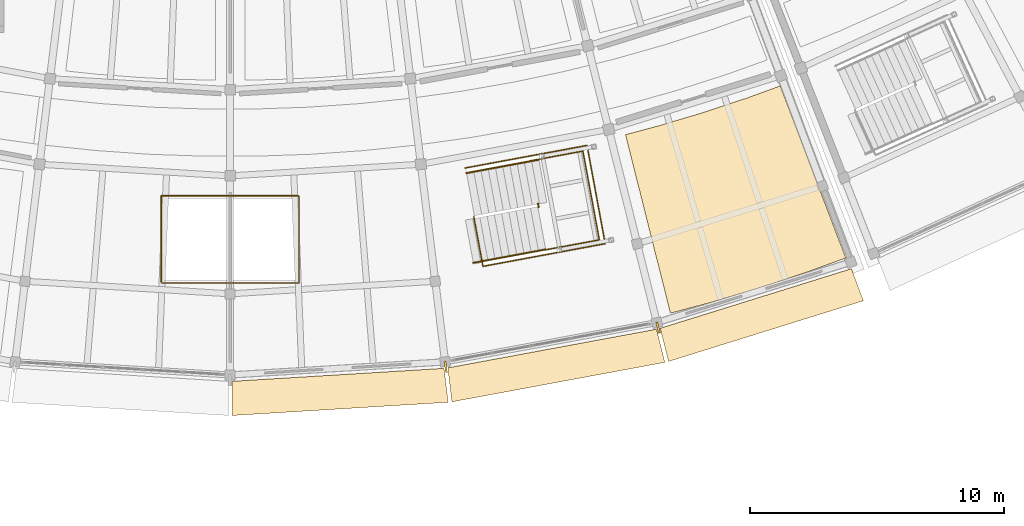
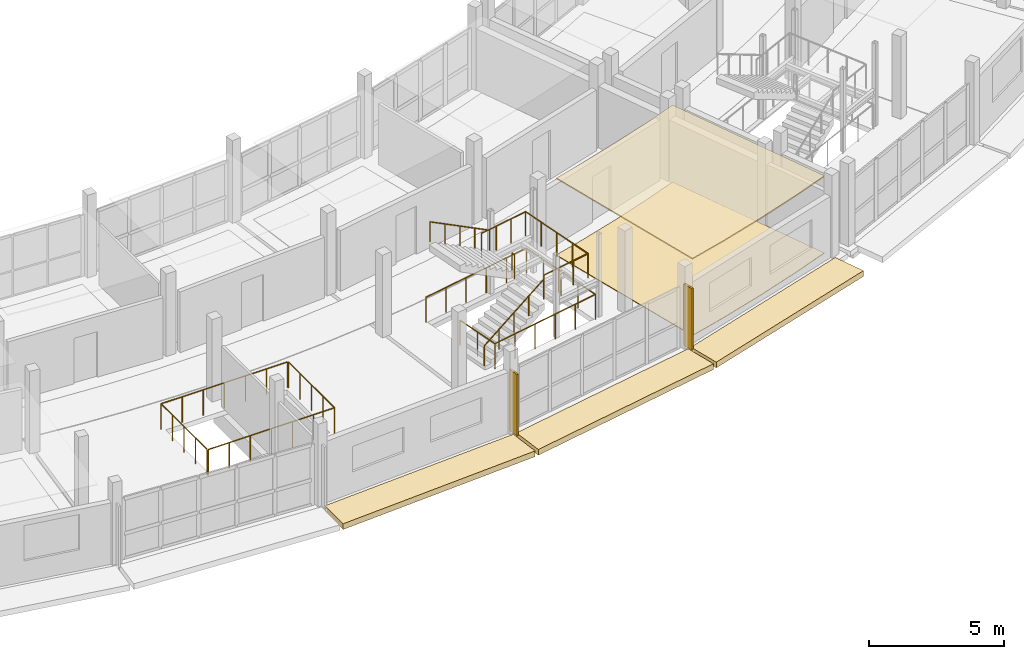
# One storey, part 63 of 66: 7 railings, 5 coverings, 2 shading devices.
"""IFC4 building model written with IfcOpenShell, lengths in metres."""

from ifc_helpers import new_model, si_unit, direction, frame, origin, origin_2d, place, context, subcontext, project, spatial, polyline, rectangle, circle, outline, extrude, material, layer, layer_set, type_object, element, save


model = new_model("IFC4")

# Units and contexts
model_context = context("Model", 3, precision=1e-05, world=origin(), true_north=direction((0.0, 1.0)))
body_context = subcontext(model_context, "Body", "Model", "MODEL_VIEW")
ifc_project = project(units=[si_unit("LENGTHUNIT", "METRE"), si_unit("AREAUNIT", "SQUARE_METRE"), si_unit("VOLUMEUNIT", "CUBIC_METRE"), si_unit("PLANEANGLEUNIT", "RADIAN"), si_unit("MASSUNIT", "GRAM", prefix="KILO")], contexts=[model_context])

# Site, building, storey
site_placement = place(None, origin())
site = spatial("IfcSite", under=ifc_project, at=site_placement, CompositionType="ELEMENT")
building_placement = place(site_placement, origin())
building = spatial("IfcBuilding", under=site, at=building_placement, Name="Caldaven Crescent School", CompositionType="ELEMENT")
storey_placement = place(building_placement, frame((0.0, 0.0, 8.159912109375)))
storey = spatial("IfcBuildingStorey", under=building, at=storey_placement, Name="L02", CompositionType="ELEMENT", Elevation=8.159912109375)

# Coverings
ifc_material_1 = material(Name="White architectural GFRC precast concrete C35/45 cladding", Category="concrete")
ifc_layer_1 = layer(ifc_material_1, 0.260009765625)
ifc_layer_set_1 = layer_set([ifc_layer_1], Name="White architectural GFRC precast concrete C35/45 cladding")
covering_type_1 = type_object("IfcCoveringType", Name="COV-CLD1", PredefinedType="CLADDING", material=ifc_layer_set_1)
covering_1_placement = place(storey_placement, frame((0.0, 0.0, -0.260009765625)))
element("IfcCovering", 1, at=covering_1_placement, inside=storey, type_object=covering_type_1, Name="CLD-OUT-L02-048", PredefinedType="CLADDING", context=body_context, shape_type="SweptSolid", body=[
    extrude(outline(polyline([(88.072998046875, 26.199951171875), (96.433837890625, 26.71142578125), (96.59716796875, 25.371337890625), (88.074462890625, 24.85009765625), (88.072998046875, 26.199951171875)])), origin(), (0.0, 0.0, 1.0), 0.260009765625),
])
covering_2_placement = place(storey_placement, frame((0.0, 0.0, -0.260009765625)))
element("IfcCovering", 2, at=covering_2_placement, inside=storey, type_object=covering_type_1, Name="CLD-OUT-L02-050", PredefinedType="CLADDING", context=body_context, shape_type="SweptSolid", body=[
    extrude(outline(polyline([(96.5791015625, 26.729248046875), (104.815185546875, 28.255615234375), (105.140380859375, 26.945556640625), (96.744873046875, 25.389404296875), (96.5791015625, 26.729248046875)])), origin(), (0.0, 0.0, 1.0), 0.260009765625),
])
covering_3_placement = place(storey_placement, frame((0.0, 0.0, -0.260009765625)))
element("IfcCovering", 3, at=covering_3_placement, inside=storey, type_object=covering_type_1, Name="CLD-OUT-L02-052", PredefinedType="CLADDING", context=body_context, shape_type="SweptSolid", body=[
    extrude(outline(polyline([(104.95703125, 28.291015625), (112.496337890625, 30.6396484375), (112.97021484375, 29.37548828125), (105.284912109375, 26.9814453125), (104.95703125, 28.291015625)])), origin(), (0.0, 0.0, 1.0), 0.260009765625),
])
ifc_material_2 = material(Name="Perforated Pino Radiata acoustic timber baffle ceiling", Category="wood")
ifc_layer_2 = layer(ifc_material_2, 0.053955078125)
ifc_layer_set_2 = layer_set([ifc_layer_2], Name="Perforated Pino Radiata acoustic timber baffle ceiling")
covering_type_2 = type_object("IfcCoveringType", Name="COV-CLG4", PredefinedType="CEILING", material=ifc_layer_set_2)
covering_4_placement = place(storey_placement, frame((0.0, 0.0, 3.466064453125)))
element("IfcCovering", 4, at=covering_4_placement, inside=storey, type_object=covering_type_2, Name="CLG-L02-155", PredefinedType="CEILING", context=body_context, shape_type="SweptSolid", body=[
    extrude(outline(polyline([(104.910400390625, 36.278076171875), (104.923095703125, 36.281494140625), (106.658447265625, 36.80078125), (106.671142578125, 36.804931640625), (108.390380859375, 37.375), (108.40283203125, 37.379150390625), (109.68798828125, 37.84765625), (112.274169921875, 31.06396484375), (110.7822265625, 30.520263671875), (108.847900390625, 29.87890625), (106.8955078125, 29.294677734375), (105.361572265625, 28.884521484375), (103.589111328125, 35.924560546875), (104.910400390625, 36.278076171875)])), origin(), (0.0, 0.0, 1.0), 0.053955078125),
])
ifc_material_3 = material(Name="Polished terrazzo and acoustic linoleum flooring")
ifc_layer_3 = layer(ifc_material_3, 0.031982421875)
ifc_layer_set_3 = layer_set([ifc_layer_3], Name="Polished terrazzo and acoustic linoleum flooring")
covering_type_3 = type_object("IfcCoveringType", Name="COV-FLR3", PredefinedType="FLOORING", material=ifc_layer_set_3)
covering_5_placement = place(storey_placement, origin())
element("IfcCovering", 5, at=covering_5_placement, inside=storey, type_object=covering_type_3, Name="FLR-L02-155", PredefinedType="FLOORING", context=body_context, shape_type="SweptSolid", body=[
    extrude(outline(polyline([(103.589111328125, 35.924560546875), (104.910400390625, 36.278076171875), (104.923095703125, 36.281494140625), (106.658447265625, 36.80078125), (106.671142578125, 36.804931640625), (108.390380859375, 37.375), (108.40283203125, 37.379150390625), (109.68798828125, 37.84765625), (112.274169921875, 31.06396484375), (110.7822265625, 30.520263671875), (108.847900390625, 29.87890625), (106.8955078125, 29.294677734375), (105.361572265625, 28.884521484375), (103.589111328125, 35.924560546875)])), origin(), (0.0, 0.0, 1.0), 0.031982421875),
])

# Railings
ifc_material_4 = material(Name="Brushed stainless-steel continuous tubular handrail", Category="steel")
railing_type_1 = type_object("IfcRailingType", Name="RAL-HR3", PredefinedType="HANDRAIL", material=ifc_material_4)
railing_1_placement = place(storey_placement, frame((97.589111328125, 30.871826171875, 0.173095703125)))
element("IfcRailing", 6, at=railing_1_placement, inside=storey, type_object=railing_type_1, Name="HR-ST3-L02-F1", PredefinedType="HANDRAIL", context=body_context, shape_type="SweptSolid", body=[
    extrude(circle(Radius=0.02392578125, at=origin_2d()), frame((0.0, 0.0, 0.89599609375), z_axis=(0.848265297383, 0.157234106921, 0.50569103302), x_axis=(-0.18225505464, 0.98325128785, 0.0)), (0.0, 0.0, 1.0), 3.361572265625),
    extrude(circle(Radius=0.02099609375, at=origin_2d()), origin(), (0.0, 0.0, 1.0), 0.871826171875),
    extrude(circle(Radius=0.02099609375, at=origin_2d()), frame((0.712890625, 0.132080078125, 0.425048828125)), (0.0, 0.0, 1.0), 0.871826171875),
    extrude(circle(Radius=0.02099609375, at=origin_2d()), frame((1.42578125, 0.26416015625, 0.85009765625)), (0.0, 0.0, 1.0), 0.871826171875),
    extrude(circle(Radius=0.02099609375, at=origin_2d()), frame((2.138671875, 0.396484375, 1.27490234375)), (0.0, 0.0, 1.0), 0.871826171875),
    extrude(circle(Radius=0.02099609375, at=origin_2d()), frame((2.8515625, 0.528564453125, 1.699951171875)), (0.0, 0.0, 1.0), 0.871826171875),
])
railing_2_placement = place(storey_placement, frame((100.1708984375, 34.9404296875, 2.04296875)))
element("IfcRailing", 7, at=railing_2_placement, inside=storey, type_object=railing_type_1, Name="HR-ST3-L02-F2", PredefinedType="HANDRAIL", context=body_context, shape_type="SweptSolid", body=[
    extrude(circle(Radius=0.02392578125, at=origin_2d()), frame((0.0, 0.0, 0.89599609375), z_axis=(-0.848223455279, -0.157167185309, 0.50578201409), x_axis=(0.182188747239, -0.98326357625, 0.0)), (0.0, 0.0, 1.0), 3.361572265625),
    extrude(circle(Radius=0.02099609375, at=origin_2d()), origin(), (0.0, 0.0, 1.0), 0.871826171875),
    extrude(circle(Radius=0.02099609375, at=origin_2d()), frame((-0.712890625, -0.132080078125, 0.425048828125)), (0.0, 0.0, 1.0), 0.871826171875),
    extrude(circle(Radius=0.02099609375, at=origin_2d()), frame((-1.42578125, -0.26416015625, 0.85009765625)), (0.0, 0.0, 1.0), 0.871826171875),
    extrude(circle(Radius=0.02099609375, at=origin_2d()), frame((-2.138427734375, -0.396240234375, 1.275146484375)), (0.0, 0.0, 1.0), 0.871826171875),
    extrude(circle(Radius=0.02099609375, at=origin_2d()), frame((-2.851318359375, -0.5283203125, 1.7001953125)), (0.0, 0.0, 1.0), 0.871826171875),
])
ifc_material_5 = material(Name="Powder-coated tubular steel balustrade ASTM A572 Grade 50", Category="steel")
railing_type_2 = type_object("IfcRailingType", Name="RAL-INT2", PredefinedType="BALUSTRADE", material=ifc_material_5)
railing_3_placement = place(storey_placement, frame((100.443359375, 31.3857421875, 1.8701171875)))
element("IfcRailing", 8, at=railing_3_placement, inside=storey, type_object=railing_type_2, Name="GD-LND-ST3-L02", PredefinedType="BALUSTRADE", context=body_context, shape_type="SweptSolid", body=[
    extrude(circle(Radius=0.02392578125, at=origin_2d()), frame((0.0, 0.0, 1.09619140625), z_axis=(0.983272214345, 0.182142121701, 0.0), x_axis=(-0.182142121701, 0.983272214345, 0.0)), (0.0, 0.0, 1.0), 2.14990234375),
    extrude(circle(Radius=0.02392578125, at=origin_2d()), frame((2.114013671875, 0.3916015625, 1.09619140625), z_axis=(-0.182209587226, 0.983259714584, 0.0), x_axis=(-0.983259714584, -0.182209587226, 0.0)), (0.0, 0.0, 1.0), 3.56005859375),
    extrude(circle(Radius=0.02392578125, at=origin_2d()), frame((1.46533203125, 3.89208984375, 1.09619140625), z_axis=(-0.983251871482, -0.182251905962, 0.0), x_axis=(0.182251905962, -0.983251871482, 0.0)), (0.0, 0.0, 1.0), 2.14990234375),
    extrude(circle(Radius=0.02099609375, at=origin_2d()), origin(), (0.0, 0.0, 1.0), 1.072021484375),
    extrude(circle(Radius=0.02099609375, at=origin_2d()), frame((0.70458984375, 0.130615234375, 0.0)), (0.0, 0.0, 1.0), 1.072021484375),
    extrude(circle(Radius=0.02099609375, at=origin_2d()), frame((1.409423828125, 0.260986328125, 0.0)), (0.0, 0.0, 1.0), 1.072021484375),
    extrude(circle(Radius=0.02099609375, at=origin_2d()), frame((2.114013671875, 0.3916015625, 0.0)), (0.0, 0.0, 1.0), 1.072021484375),
    extrude(circle(Radius=0.02099609375, at=origin_2d()), frame((1.951904296875, 1.2666015625, 0.0)), (0.0, 0.0, 1.0), 1.072021484375),
    extrude(circle(Radius=0.02099609375, at=origin_2d()), frame((1.78955078125, 2.141845703125, 0.0)), (0.0, 0.0, 1.0), 1.072021484375),
    extrude(circle(Radius=0.02099609375, at=origin_2d()), frame((1.62744140625, 3.01708984375, 0.0)), (0.0, 0.0, 1.0), 1.072021484375),
    extrude(circle(Radius=0.02099609375, at=origin_2d()), frame((1.46533203125, 3.89208984375, 0.0)), (0.0, 0.0, 1.0), 1.072021484375),
    extrude(circle(Radius=0.02099609375, at=origin_2d()), frame((0.7607421875, 3.761474609375, 0.0)), (0.0, 0.0, 1.0), 1.072021484375),
    extrude(circle(Radius=0.02099609375, at=origin_2d()), frame((0.055908203125, 3.630859375, 0.0)), (0.0, 0.0, 1.0), 1.072021484375),
    extrude(circle(Radius=0.02099609375, at=origin_2d()), frame((-0.648681640625, 3.500244140625, 0.0)), (0.0, 0.0, 1.0), 1.072021484375),
])
railing_4_placement = place(storey_placement, frame((100.161376953125, 33.072509765625, 1.8701171875)))
element("IfcRailing", 9, at=railing_4_placement, inside=storey, type_object=railing_type_2, Name="GD-SLT-ST3-L02", PredefinedType="BALUSTRADE", context=body_context, shape_type="SweptSolid", body=[
    extrude(circle(Radius=0.02392578125, at=origin_2d()), frame((0.0, 0.0, 1.09619140625), z_axis=(-0.183025457922, 0.983108173983, 0.0), x_axis=(-0.983108173983, -0.183025457922, 0.0)), (0.0, 0.0, 1.0), 0.14013671875),
    extrude(circle(Radius=0.02099609375, at=origin_2d()), origin(), (0.0, 0.0, 1.0), 1.072021484375),
    extrude(circle(Radius=0.02099609375, at=origin_2d()), frame((-0.025634765625, 0.1376953125, 0.0)), (0.0, 0.0, 1.0), 1.072021484375),
])
railing_type_3 = type_object("IfcRailingType", Name="RAL-INT3", PredefinedType="BALUSTRADE", material=ifc_material_5)
railing_5_placement = place(storey_placement, frame((97.606201171875, 32.6904296875, 0.0)))
element("IfcRailing", 10, at=railing_5_placement, inside=storey, type_object=railing_type_3, Name="GD-WELL-ST3-L02", PredefinedType="BALUSTRADE", context=body_context, shape_type="SweptSolid", body=[
    extrude(circle(Radius=0.02392578125, at=origin_2d()), frame((0.0, 0.0, 1.1259765625), z_axis=(0.182199096939, -0.983261658499, 0.0), x_axis=(0.983261658499, 0.182199096939, 0.0)), (0.0, 0.0, 1.0), 1.98974609375),
    extrude(circle(Radius=0.02392578125, at=origin_2d()), frame((0.362548828125, -1.95654296875, 1.1259765625), z_axis=(0.983254581157, 0.18223728662, 0.0), x_axis=(-0.18223728662, 0.983254581157, 0.0)), (0.0, 0.0, 1.0), 4.90185546875),
    extrude(circle(Radius=0.02392578125, at=origin_2d()), frame((5.182373046875, -1.063232421875, 1.1259765625), z_axis=(-0.182237923861, 0.98325446305, 0.0), x_axis=(-0.98325446305, -0.182237923861, 0.0)), (0.0, 0.0, 1.0), 3.93994140625),
    extrude(circle(Radius=0.02392578125, at=origin_2d()), frame((4.46435546875, 2.810791015625, 1.1259765625), z_axis=(-0.983254581157, -0.18223728662, 0.0), x_axis=(0.18223728662, -0.983254581157, 0.0)), (0.0, 0.0, 1.0), 4.90185546875),
    extrude(circle(Radius=0.02099609375, at=origin_2d()), origin(), (0.0, 0.0, 1.0), 1.101806640625),
    extrude(circle(Radius=0.02099609375, at=origin_2d()), frame((0.18115234375, -0.978271484375, 0.0)), (0.0, 0.0, 1.0), 1.101806640625),
    extrude(circle(Radius=0.02099609375, at=origin_2d()), frame((0.362548828125, -1.95654296875, 0.0)), (0.0, 0.0, 1.0), 1.101806640625),
    extrude(circle(Radius=0.02099609375, at=origin_2d()), frame((1.326416015625, -1.77783203125, 0.0)), (0.0, 0.0, 1.0), 1.101806640625),
    extrude(circle(Radius=0.02099609375, at=origin_2d()), frame((2.29052734375, -1.59912109375, 0.0)), (0.0, 0.0, 1.0), 1.101806640625),
    extrude(circle(Radius=0.02099609375, at=origin_2d()), frame((3.25439453125, -1.420654296875, 0.0)), (0.0, 0.0, 1.0), 1.101806640625),
    extrude(circle(Radius=0.02099609375, at=origin_2d()), frame((4.218505859375, -1.241943359375, 0.0)), (0.0, 0.0, 1.0), 1.101806640625),
    extrude(circle(Radius=0.02099609375, at=origin_2d()), frame((5.182373046875, -1.063232421875, 0.0)), (0.0, 0.0, 1.0), 1.101806640625),
    extrude(circle(Radius=0.02099609375, at=origin_2d()), frame((5.0029296875, -0.0947265625, 0.0)), (0.0, 0.0, 1.0), 1.101806640625),
    extrude(circle(Radius=0.02099609375, at=origin_2d()), frame((4.8232421875, 0.873779296875, 0.0)), (0.0, 0.0, 1.0), 1.101806640625),
    extrude(circle(Radius=0.02099609375, at=origin_2d()), frame((4.643798828125, 1.84228515625, 0.0)), (0.0, 0.0, 1.0), 1.101806640625),
    extrude(circle(Radius=0.02099609375, at=origin_2d()), frame((4.46435546875, 2.810791015625, 0.0)), (0.0, 0.0, 1.0), 1.101806640625),
    extrude(circle(Radius=0.02099609375, at=origin_2d()), frame((3.50048828125, 2.632080078125, 0.0)), (0.0, 0.0, 1.0), 1.101806640625),
    extrude(circle(Radius=0.02099609375, at=origin_2d()), frame((2.536376953125, 2.453369140625, 0.0)), (0.0, 0.0, 1.0), 1.101806640625),
    extrude(circle(Radius=0.02099609375, at=origin_2d()), frame((1.572509765625, 2.27490234375, 0.0)), (0.0, 0.0, 1.0), 1.101806640625),
    extrude(circle(Radius=0.02099609375, at=origin_2d()), frame((0.6083984375, 2.09619140625, 0.0)), (0.0, 0.0, 1.0), 1.101806640625),
    extrude(circle(Radius=0.02099609375, at=origin_2d()), frame((-0.35546875, 1.91748046875, 0.0)), (0.0, 0.0, 1.0), 1.101806640625),
])
railing_type_4 = type_object("IfcRailingType", Name="RAL-INT4", PredefinedType="BALUSTRADE", material=ifc_material_5)
railing_6_placement = place(storey_placement, frame((85.31005859375, 30.080078125, 0.0)))
element("IfcRailing", 11, at=railing_6_placement, inside=storey, type_object=railing_type_4, Name="GD-ATR-V5-L02-A", PredefinedType="BALUSTRADE", context=body_context, shape_type="SweptSolid", body=[
    extrude(circle(Radius=0.02392578125, at=origin_2d()), frame((0.0, 0.0, 1.15576171875), z_axis=(1.0, 0.0, 0.0), x_axis=(0.0, 1.0, 0.0)), (0.0, 0.0, 1.0), 5.409912109375),
    extrude(circle(Radius=0.02392578125, at=origin_2d()), frame((5.409912109375, 0.0, 1.15576171875), z_axis=(0.0, 1.0, 0.0), x_axis=(-1.0, 0.0, 0.0)), (0.0, 0.0, 1.0), 3.409912109375),
    extrude(circle(Radius=0.02099609375, at=origin_2d()), origin(), (0.0, 0.0, 1.0), 1.1318359375),
    extrude(circle(Radius=0.02099609375, at=origin_2d()), frame((0.901611328125, 0.0, 0.0)), (0.0, 0.0, 1.0), 1.1318359375),
    extrude(circle(Radius=0.02099609375, at=origin_2d()), frame((1.80322265625, 0.0, 0.0)), (0.0, 0.0, 1.0), 1.1318359375),
    extrude(circle(Radius=0.02099609375, at=origin_2d()), frame((2.705078125, 0.0, 0.0)), (0.0, 0.0, 1.0), 1.1318359375),
    extrude(circle(Radius=0.02099609375, at=origin_2d()), frame((3.606689453125, 0.0, 0.0)), (0.0, 0.0, 1.0), 1.1318359375),
    extrude(circle(Radius=0.02099609375, at=origin_2d()), frame((4.50830078125, 0.0, 0.0)), (0.0, 0.0, 1.0), 1.1318359375),
    extrude(circle(Radius=0.02099609375, at=origin_2d()), frame((5.409912109375, 0.0, 0.0)), (0.0, 0.0, 1.0), 1.1318359375),
    extrude(circle(Radius=0.02099609375, at=origin_2d()), frame((5.409912109375, 0.8525390625, 0.0)), (0.0, 0.0, 1.0), 1.1318359375),
    extrude(circle(Radius=0.02099609375, at=origin_2d()), frame((5.409912109375, 1.705078125, 0.0)), (0.0, 0.0, 1.0), 1.1318359375),
    extrude(circle(Radius=0.02099609375, at=origin_2d()), frame((5.409912109375, 2.557373046875, 0.0)), (0.0, 0.0, 1.0), 1.1318359375),
    extrude(circle(Radius=0.02099609375, at=origin_2d()), frame((5.409912109375, 3.409912109375, 0.0)), (0.0, 0.0, 1.0), 1.1318359375),
])
railing_7_placement = place(storey_placement, frame((90.68994140625, 33.52001953125, 0.0)))
element("IfcRailing", 12, at=railing_7_placement, inside=storey, type_object=railing_type_4, Name="GD-ATR-V5-L02-B", PredefinedType="BALUSTRADE", context=body_context, shape_type="SweptSolid", body=[
    extrude(circle(Radius=0.02392578125, at=origin_2d()), frame((0.0, 0.0, 1.15576171875), z_axis=(-1.0, 0.0, 0.0), x_axis=(0.0, -1.0, 0.0)), (0.0, 0.0, 1.0), 5.409912109375),
    extrude(circle(Radius=0.02392578125, at=origin_2d()), frame((-5.409912109375, 0.0, 1.15576171875), z_axis=(0.0, -1.0, 0.0), x_axis=(1.0, 0.0, 0.0)), (0.0, 0.0, 1.0), 3.409912109375),
    extrude(circle(Radius=0.02099609375, at=origin_2d()), origin(), (0.0, 0.0, 1.0), 1.1318359375),
    extrude(circle(Radius=0.02099609375, at=origin_2d()), frame((-0.901611328125, 0.0, 0.0)), (0.0, 0.0, 1.0), 1.1318359375),
    extrude(circle(Radius=0.02099609375, at=origin_2d()), frame((-1.80322265625, 0.0, 0.0)), (0.0, 0.0, 1.0), 1.1318359375),
    extrude(circle(Radius=0.02099609375, at=origin_2d()), frame((-2.705078125, 0.0, 0.0)), (0.0, 0.0, 1.0), 1.1318359375),
    extrude(circle(Radius=0.02099609375, at=origin_2d()), frame((-3.606689453125, 0.0, 0.0)), (0.0, 0.0, 1.0), 1.1318359375),
    extrude(circle(Radius=0.02099609375, at=origin_2d()), frame((-4.50830078125, 0.0, 0.0)), (0.0, 0.0, 1.0), 1.1318359375),
    extrude(circle(Radius=0.02099609375, at=origin_2d()), frame((-5.409912109375, 0.0, 0.0)), (0.0, 0.0, 1.0), 1.1318359375),
    extrude(circle(Radius=0.02099609375, at=origin_2d()), frame((-5.409912109375, -0.8525390625, 0.0)), (0.0, 0.0, 1.0), 1.1318359375),
    extrude(circle(Radius=0.02099609375, at=origin_2d()), frame((-5.409912109375, -1.705078125, 0.0)), (0.0, 0.0, 1.0), 1.1318359375),
    extrude(circle(Radius=0.02099609375, at=origin_2d()), frame((-5.409912109375, -2.557373046875, 0.0)), (0.0, 0.0, 1.0), 1.1318359375),
    extrude(circle(Radius=0.02099609375, at=origin_2d()), frame((-5.409912109375, -3.409912109375, 0.0)), (0.0, 0.0, 1.0), 1.1318359375),
])

# Shading devices
ifc_material_6 = material(Name="Bronze-anodised aluminium AA 6063-T6 sunshade", Category="aluminium")
ifc_layer_4 = layer(ifc_material_6, 0.080078125)
ifc_layer_set_4 = layer_set([ifc_layer_4], Name="Bronze-anodised aluminium AA 6063-T6 sunshade")
shading_device_type = type_object("IfcShadingDeviceType", Name="SHD-S04", PredefinedType="JALOUSIE", material=ifc_layer_set_4)
for number, where, z_axis, x_axis, name in (
    (13, (96.50048828125, 26.77001953125, 0.0), (0.0, 0.0, 1.0), (0.121869343405, -0.992546151641, 0.0), "SHD-FIN-L02-036"),
    (14, (104.8740234375, 28.32177734375, 0.0), (0.0, 0.0, 1.0), (0.2419218956, -0.970295726276, 0.0), "SHD-FIN-L02-038"),
):
    element("IfcShadingDevice", number, at=place(storey_placement, frame(where, z_axis=z_axis, x_axis=x_axis)), inside=storey, type_object=shading_device_type, Name=name, PredefinedType="JALOUSIE", context=body_context, shape_type="SweptSolid", body=[
        extrude(rectangle(XDim=0.449951171875, YDim=0.080078125, at=origin_2d()), origin(), (0.0, 0.0, 1.0), 2.780029296875),
    ])

save(model, "model.ifc")
